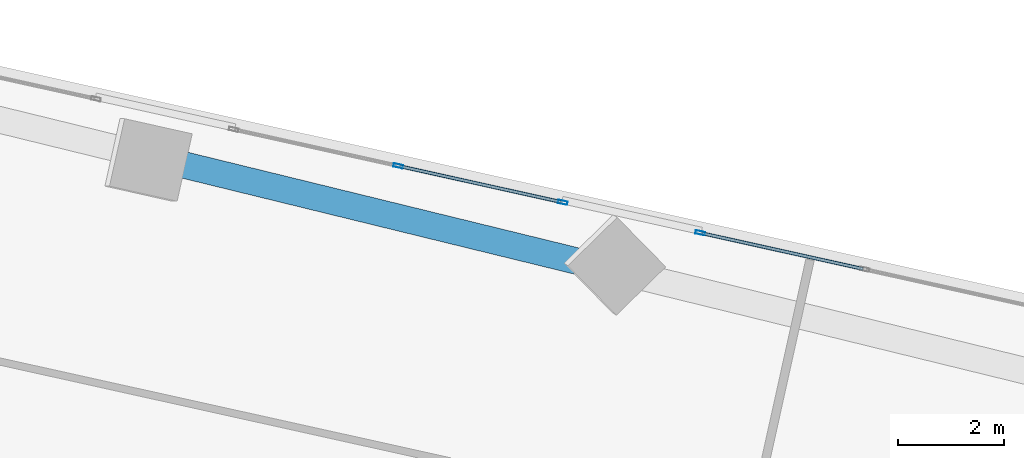
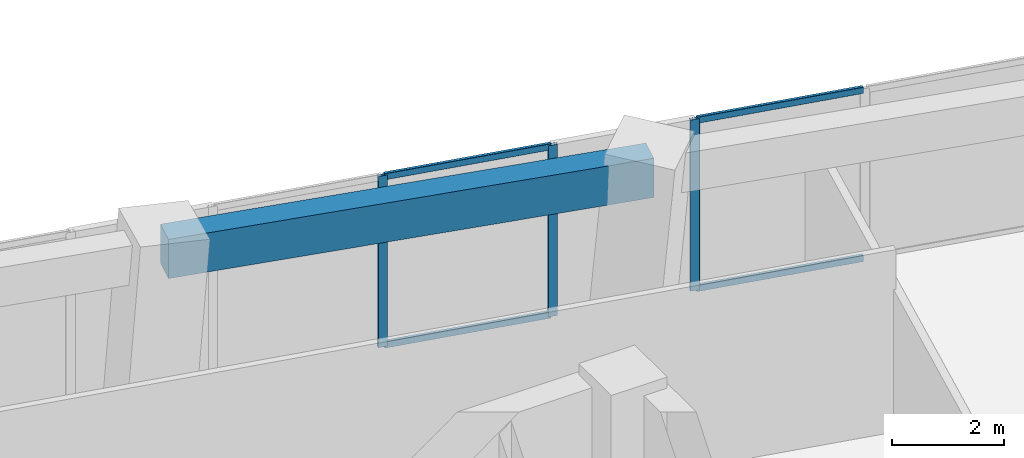
# One storey, part 17 of 25: 7 members, 1 beam, 2 elements without a shape of their own.
"""IFC4 building model written with IfcOpenShell, lengths in metres."""

import ifcopenshell
import ifcopenshell.guid

model = None  # the IFC model being written
_history = None  # IfcOwnerHistory: only IFC2X3 demands one
_inside = {}  # id of a spatial element -> (the spatial element, [elements in it])
_under = {}  # id of a project, library or spatial element -> (it, [spatial elements below it])
_declared = {}  # id of a project -> (the project, [libraries it declares])
_typed = {}  # id of a type object -> (the type object, [elements of that type])
_made_of = {}  # id of a material, layer set ... -> (it, [elements and type objects made of it])


def new_model(schema):
    """Start an empty IFC model of exactly this schema.

    Asked for "IFC4X3", IfcOpenShell would pick the latest addendum, in which some entities
    have other attributes; the version numbers below select the first issue.
    IFC2X3 requires an IfcOwnerHistory on every rooted entity: one is made here for all.
    """
    global model, _history
    if schema == "IFC4X3":
        model = ifcopenshell.file(schema_version=(4, 3, 0, 0))
    else:
        model = ifcopenshell.file(schema=schema)
    _inside.clear()
    _under.clear()
    _declared.clear()
    _typed.clear()
    _made_of.clear()
    _history = None
    if model.schema == "IFC2X3":
        org = make("IfcOrganization", Name="unknown")
        user = make(
            "IfcPersonAndOrganization",
            ThePerson=make("IfcPerson", FamilyName="unknown"),
            TheOrganization=org,
        )
        app = make(
            "IfcApplication",
            ApplicationDeveloper=org,
            Version="unknown",
            ApplicationFullName="unknown",
            ApplicationIdentifier="unknown",
        )
        _history = make(
            "IfcOwnerHistory",
            OwningUser=user,
            OwningApplication=app,
            ChangeAction="ADDED",
            CreationDate=0,
        )
    return model


def make(cls, **values):
    """One entity of the class cls with the attributes given. An attribute that is None is left unset."""
    return model.create_entity(
        cls, **{name: value for name, value in values.items() if value is not None}
    )


def rooted(cls, **values):
    """An entity with a GlobalId (a new one), such as an element, a storey or a relation."""
    return make(cls, GlobalId=ifcopenshell.guid.new(), OwnerHistory=_history, **values)


def si_unit(unit_type, name, prefix=None):
    """IfcSIUnit, for example si_unit("LENGTHUNIT", "METRE", prefix="MILLI")."""
    return make("IfcSIUnit", UnitType=unit_type, Prefix=prefix, Name=name)


def assignment(units):
    """IfcUnitAssignment: the units of a project."""
    return None if units is None else make("IfcUnitAssignment", Units=units)


def point(xyz):
    """IfcCartesianPoint."""
    return None if xyz is None else make("IfcCartesianPoint", Coordinates=xyz)


def direction(xyz):
    """IfcDirection."""
    return None if xyz is None else make("IfcDirection", DirectionRatios=xyz)


def frame(location, z_axis=None, x_axis=None):
    """IfcAxis2Placement3D, a coordinate frame: its origin and axes. An axis left out is left unset."""
    return make(
        "IfcAxis2Placement3D",
        Location=point(location),
        Axis=direction(z_axis),
        RefDirection=direction(x_axis),
    )


def frame_2d(location, x_axis=None):
    """IfcAxis2Placement2D, a coordinate frame in the plane: its origin and x axis."""
    return make(
        "IfcAxis2Placement2D", Location=point(location), RefDirection=direction(x_axis)
    )


def origin():
    """The frame at (0, 0, 0) with its axes left unset."""
    return frame((0.0, 0.0, 0.0))


def origin_2d():
    """The frame at (0, 0) in the plane with its x axis left unset."""
    return frame_2d((0.0, 0.0))


def place(relative_to, where):
    """IfcLocalPlacement: puts the frame where relative to a parent placement (None: the world)."""
    return make(
        "IfcLocalPlacement", PlacementRelTo=relative_to, RelativePlacement=where
    )


def context(
    kind, dimensions, precision=None, world=None, true_north=None, identifier=None
):
    """IfcGeometricRepresentationContext, for example the 3D "Model" context."""
    return make(
        "IfcGeometricRepresentationContext",
        ContextIdentifier=identifier,
        ContextType=kind,
        CoordinateSpaceDimension=dimensions,
        Precision=precision,
        WorldCoordinateSystem=world,
        TrueNorth=true_north,
    )


def subcontext(parent, identifier, kind, view, scale=None):
    """IfcGeometricRepresentationSubContext, for example "Body" below "Model"."""
    return make(
        "IfcGeometricRepresentationSubContext",
        ContextIdentifier=identifier,
        ContextType=kind,
        ParentContext=parent,
        TargetScale=scale,
        TargetView=view,
    )


def project(units=None, contexts=None):
    """IfcProject with its units and contexts."""
    return rooted(
        "IfcProject",
        Name="project",
        RepresentationContexts=contexts,
        UnitsInContext=assignment(units),
    )


def spatial(cls, under=None, at=None, **own):
    """A site, building, storey or space (cls), placed at a placement, below another one or the project."""
    s = rooted(cls, ObjectPlacement=at, **own)
    if under is not None:
        _under.setdefault(under.id(), (under, []))[1].append(s)
    return s


def profile(cls, at=None, kind="AREA", **sizes):
    """A parametric profile (cls). Its sizes go by their IFC names, for example OverallWidth=200.0."""
    return make(cls, ProfileType=kind, Position=at, **sizes)


def rectangle(**sizes):
    """IfcRectangleProfileDef."""
    return profile("IfcRectangleProfileDef", **sizes)


def hollow_rectangle(**sizes):
    """IfcRectangleHollowProfileDef."""
    return profile("IfcRectangleHollowProfileDef", **sizes)


def extrude(swept, where, along, depth):
    """IfcExtrudedAreaSolid: the profile swept, set in the frame where, extruded along a direction by depth."""
    return make(
        "IfcExtrudedAreaSolid",
        SweptArea=swept,
        Position=where,
        ExtrudedDirection=direction(along),
        Depth=depth,
    )


def shape(context_of_items, identifier, shape_type, items):
    """IfcShapeRepresentation: the items that make up one representation, for example the "Body"."""
    return make(
        "IfcShapeRepresentation",
        ContextOfItems=context_of_items,
        RepresentationIdentifier=identifier,
        RepresentationType=shape_type,
        Items=items,
    )


def source(mapping_origin, context_of_items, identifier, shape_type, items):
    """IfcRepresentationMap: a shape defined once, which mapped items show again and again."""
    return make(
        "IfcRepresentationMap",
        MappingOrigin=mapping_origin,
        MappedRepresentation=shape(context_of_items, identifier, shape_type, items),
    )


def transform(
    local_origin,
    x_axis=None,
    y_axis=None,
    z_axis=None,
    scale=None,
    scale2=None,
    scale3=None,
    uniform=True,
):
    """IfcCartesianTransformationOperator3D, or its non-uniform kind. x_axis, y_axis, z_axis: its Axis1, 2, 3."""
    if uniform:
        return make(
            "IfcCartesianTransformationOperator3D",
            Axis1=direction(x_axis),
            Axis2=direction(y_axis),
            LocalOrigin=point(local_origin),
            Scale=scale,
            Axis3=direction(z_axis),
        )
    return make(
        "IfcCartesianTransformationOperator3DnonUniform",
        Axis1=direction(x_axis),
        Axis2=direction(y_axis),
        LocalOrigin=point(local_origin),
        Scale=scale,
        Axis3=direction(z_axis),
        Scale2=scale2,
        Scale3=scale3,
    )


def mapped(mapping_source, mapping_target):
    """IfcMappedItem: shows the shape of a source again, moved by a transform."""
    return make(
        "IfcMappedItem", MappingSource=mapping_source, MappingTarget=mapping_target
    )


def material(Name=None, Category=None):
    """IfcMaterial."""
    return make("IfcMaterial", Name=Name, Category=Category)


def material_profile(
    of_material, cross_section, Name=None, Category=None, Priority=None
):
    """IfcMaterialProfile: a cross section and its material."""
    return make(
        "IfcMaterialProfile",
        Name=Name,
        Material=of_material,
        Profile=cross_section,
        Priority=Priority,
        Category=Category,
    )


def profile_set(profiles, Name=None, composite=None):
    """IfcMaterialProfileSet."""
    return make(
        "IfcMaterialProfileSet",
        Name=Name,
        MaterialProfiles=profiles,
        CompositeProfile=composite,
    )


def made_of(thing, what):
    """Note that an element or type object is made of a material, layer set ...; save() writes the relation."""
    if what is not None:
        _made_of.setdefault(what.id(), (what, []))[1].append(thing)
    return thing


def type_object(cls, material=None, **own):
    """A type object (cls), such as IfcWallType, which elements share."""
    return made_of(rooted(cls, **own), material)


def element(
    cls,
    number,
    at=None,
    inside=None,
    cuts=None,
    type_object=None,
    material=None,
    context=None,
    identifier="Body",
    shape_type=None,
    held_by="IfcProductDefinitionShape",
    body=None,
    shapes=None,
    **own,
):
    """One element of the class cls, such as IfcWall. Its Tag is "e" and its number.

    at: its placement. inside: the storey or other place that contains it. cuts: it is an
    opening in that element (IfcRelVoidsElement). A single representation is given by context,
    identifier, shape_type and body (its items); several are given by shapes. held_by: the class
    of the entity that holds the representations. save() writes the other relations.
    """
    e = rooted(cls, Tag="e%d" % number, ObjectPlacement=at, **own)
    if body is not None:
        shapes = [shape(context, identifier, shape_type, body)]
    if shapes is not None:
        e.Representation = make(held_by, Representations=shapes)
    if inside is not None:
        _inside.setdefault(inside.id(), (inside, []))[1].append(e)
    if cuts is not None:
        rooted(
            "IfcRelVoidsElement", RelatingBuildingElement=cuts, RelatedOpeningElement=e
        )
    if type_object is not None:
        _typed.setdefault(type_object.id(), (type_object, []))[1].append(e)
    return made_of(e, material)


def aggregate(whole, parts):
    """IfcRelAggregates: a whole, such as a stair, and the parts it consists of."""
    return rooted("IfcRelAggregates", RelatingObject=whole, RelatedObjects=parts)


def save(model, path):
    """Write the relations noted so far, then the file.

    IfcRelAggregates (storeys below a building ...), IfcRelContainedInSpatialStructure (elements
    in a storey), IfcRelDefinesByType, IfcRelAssociatesMaterial and IfcRelDeclares: one each for
    every whole, place, type object, material and project.
    """
    for whole, parts in _under.values():
        aggregate(whole, parts)
    for where, things in _inside.values():
        rooted(
            "IfcRelContainedInSpatialStructure",
            RelatedElements=things,
            RelatingStructure=where,
        )
    for kind, things in _typed.values():
        rooted("IfcRelDefinesByType", RelatedObjects=things, RelatingType=kind)
    for what, things in _made_of.values():
        rooted("IfcRelAssociatesMaterial", RelatedObjects=things, RelatingMaterial=what)
    for by, libraries in _declared.values():
        rooted("IfcRelDeclares", RelatingContext=by, RelatedDefinitions=libraries)
    model.write(path)


model = new_model("IFC4")

# Units and contexts
model_context = context("Model", 3, precision=1e-05, world=origin(), true_north=direction((0.0, 1.0)))
body_context = subcontext(model_context, "Body", "Model", "MODEL_VIEW")
ifc_project = project(units=[si_unit("LENGTHUNIT", "METRE"), si_unit("AREAUNIT", "SQUARE_METRE"), si_unit("VOLUMEUNIT", "CUBIC_METRE"), si_unit("PLANEANGLEUNIT", "RADIAN"), si_unit("MASSUNIT", "GRAM", prefix="KILO")], contexts=[model_context])

# Site, building, storey
site_placement = place(None, origin())
site = spatial("IfcSite", under=ifc_project, at=site_placement, CompositionType="ELEMENT")
building_placement = place(site_placement, origin())
building = spatial("IfcBuilding", under=site, at=building_placement, Name="Torre Montelarca", CompositionType="ELEMENT")
storey_placement = place(building_placement, frame((0.0, 0.0, 91.60009765625)))
storey = spatial("IfcBuildingStorey", under=building, at=storey_placement, Name="L20", CompositionType="ELEMENT", Elevation=91.60009765625)

# Beam
ifc_material_1 = material(Name="Concrete C55/67", Category="concrete")
ifc_material_profile_1 = material_profile(ifc_material_1, rectangle(XDim=0.5, YDim=0.85009765625, at=origin_2d()), Name="RCB500X850", Category="concrete")
ifc_profile_set_1 = profile_set([ifc_material_profile_1], Name="Concrete C55/67")
beam_type = type_object("IfcBeamType", Name="BM-SP-RC850-EXT", PredefinedType="SPANDREL", material=ifc_profile_set_1)
shared_shape_1 = source(origin(), body_context, "Body", "SweptSolid", [
    extrude(rectangle(XDim=0.5, YDim=0.85009765625, at=origin_2d()), origin(), (0.0, 0.0, 1.0), 9.0),
])
beam_placement = place(storey_placement, frame((21.701171875, 47.547607421875, 3.534912109375), z_axis=(0.971349345866, -0.237656155583, 0.0), x_axis=(0.237656155583, 0.971349345866, 0.0)))
element("IfcBeam", 1, at=beam_placement, inside=storey, type_object=beam_type, Name="L20 Grid Girder X 18.0-27.0 at Y=47.1", PredefinedType="SPANDREL", context=body_context, shape_type="MappedRepresentation", body=[
    mapped(shared_shape_1, transform((0.0, 0.0, 0.0), scale=1.0)),
])

# Curtain wall, members
ifc_material_2 = material(Name="Insulated low-E laminated glass", Category="glass")
curtain_wall_type = type_object("IfcCurtainWallType", Name="CW-SYS-Z1", PredefinedType="USERDEFINED", material=ifc_material_2)
curtain_wall_1_placement = place(storey_placement, origin())
curtain_wall_1 = element("IfcCurtainWall", 2, at=curtain_wall_1_placement, inside=storey, type_object=curtain_wall_type, Name="L20 Curtain Wall Run CW-T3-L20-E08-B2", ObjectType="UNITISED GLAZING", PredefinedType="USERDEFINED")
ifc_material_3 = material(Name="Anodised aluminium AA 6063-T6", Category="aluminium")
ifc_material_profile_2 = material_profile(ifc_material_3, hollow_rectangle(XDim=0.06494140625, YDim=0.139892578125, WallThickness=0.00390625, InnerFilletRadius=0.00390625, OuterFilletRadius=0.008056640625, at=origin_2d()), Name="ALU65X140X4", Category="aluminium")
ifc_profile_set_2 = profile_set([ifc_material_profile_2], Name="Anodised aluminium AA 6063-T6")
member_type_1 = type_object("IfcMemberType", Name="CWT-ALU140", PredefinedType="USERDEFINED", material=ifc_profile_set_2)
shared_shape_2 = source(origin(), body_context, "Body", "SweptSolid", [
    extrude(hollow_rectangle(XDim=0.06494140625, YDim=0.139892578125, WallThickness=0.00390625, InnerFilletRadius=0.00390625, OuterFilletRadius=0.008056640625, at=origin_2d()), origin(), (0.0, 0.0, 1.0), 3.10791015625),
])
member_1_placement = place(storey_placement, frame((34.8701171875, 45.49609375, 0.032470703125), z_axis=(-0.97629967995, 0.216423046207, 0.0), x_axis=(-0.216423046207, -0.97629967995, 0.0)))
member_1 = element("IfcMember", 3, at=member_1_placement, type_object=member_type_1, Name="CW transom 2.1", ObjectType="TRANSOM", PredefinedType="USERDEFINED", context=body_context, shape_type="MappedRepresentation", body=[
    mapped(shared_shape_2, transform((0.0, 0.0, 0.0), scale=1.0)),
])
member_2_placement = place(storey_placement, frame((34.8701171875, 45.49609375, 3.6875), z_axis=(-0.97629967995, 0.216423046207, 0.0), x_axis=(-0.216423046207, -0.97629967995, 0.0)))
member_2 = element("IfcMember", 4, at=member_2_placement, type_object=member_type_1, Name="CW transom 2.2", ObjectType="TRANSOM", PredefinedType="USERDEFINED", context=body_context, shape_type="MappedRepresentation", body=[
    mapped(shared_shape_2, transform((0.0, 0.0, 0.0), scale=1.0)),
])

curtain_wall_2_placement = place(storey_placement, origin())
curtain_wall_2 = element("IfcCurtainWall", 5, at=curtain_wall_2_placement, inside=storey, type_object=curtain_wall_type, Name="L20 Curtain Wall Run CW-T3-L20-E08-B3", ObjectType="UNITISED GLAZING", PredefinedType="USERDEFINED")
shared_shape_3 = source(origin(), body_context, "Body", "SweptSolid", [
    extrude(hollow_rectangle(XDim=0.06494140625, YDim=0.139892578125, WallThickness=0.00390625, InnerFilletRadius=0.00390625, OuterFilletRadius=0.008056640625, at=origin_2d()), origin(), (0.0, 0.0, 1.0), 3.10693359375),
])
member_3_placement = place(storey_placement, frame((29.18115234375, 46.75732421875, 0.032470703125), z_axis=(-0.976301561008, 0.216414560449, 0.0), x_axis=(-0.216414560449, -0.976301561008, 0.0)))
member_3 = element("IfcMember", 6, at=member_3_placement, type_object=member_type_1, Name="CW transom 1.1", ObjectType="TRANSOM", PredefinedType="USERDEFINED", context=body_context, shape_type="MappedRepresentation", body=[
    mapped(shared_shape_3, transform((0.0, 0.0, 0.0), scale=1.0)),
])
member_4_placement = place(storey_placement, frame((29.18115234375, 46.75732421875, 3.6875), z_axis=(-0.976301561008, 0.216414560449, 0.0), x_axis=(-0.216414560449, -0.976301561008, 0.0)))
member_4 = element("IfcMember", 7, at=member_4_placement, type_object=member_type_1, Name="CW transom 1.2", ObjectType="TRANSOM", PredefinedType="USERDEFINED", context=body_context, shape_type="MappedRepresentation", body=[
    mapped(shared_shape_3, transform((0.0, 0.0, 0.0), scale=1.0)),
])

# Member
ifc_material_profile_3 = material_profile(ifc_material_3, hollow_rectangle(XDim=0.06494140625, YDim=0.179931640625, WallThickness=0.00390625, InnerFilletRadius=0.00390625, OuterFilletRadius=0.008056640625, at=origin_2d()), Name="ALU65X180X4", Category="aluminium")
ifc_profile_set_3 = profile_set([ifc_material_profile_3], Name="Anodised aluminium AA 6063-T6")
member_type_2 = type_object("IfcMemberType", Name="CWM-ALU180", PredefinedType="MULLION", material=ifc_profile_set_3)
shared_shape_4 = source(origin(), body_context, "Body", "SweptSolid", [
    extrude(hollow_rectangle(XDim=0.06494140625, YDim=0.179931640625, WallThickness=0.00390625, InnerFilletRadius=0.00390625, OuterFilletRadius=0.008056640625, at=origin_2d()), origin(), (0.0, 0.0, 1.0), 3.719970703125),
])
member_5_placement = place(storey_placement, frame((31.80419921875, 46.17578125, 0.0), z_axis=(0.0, 0.0, 1.0), x_axis=(-0.216444858684, -0.976294844373, 0.0)))
member_5 = element("IfcMember", 8, at=member_5_placement, type_object=member_type_2, Name="CW mullion 3", PredefinedType="MULLION", context=body_context, shape_type="MappedRepresentation", body=[
    mapped(shared_shape_4, transform((0.0, 0.0, 0.0), scale=1.0)),
])

aggregate(curtain_wall_1, [member_5, member_1, member_2])

member_6_placement = place(storey_placement, frame((29.212890625, 46.750244140625, 0.0), z_axis=(0.0, 0.0, 1.0), x_axis=(-0.216439738088, -0.976295979596, 0.0)))
member_6 = element("IfcMember", 9, at=member_6_placement, type_object=member_type_2, Name="CW mullion 1", PredefinedType="MULLION", context=body_context, shape_type="MappedRepresentation", body=[
    mapped(shared_shape_4, transform((0.0, 0.0, 0.0), scale=1.0)),
])

member_7_placement = place(storey_placement, frame((26.1162109375, 47.436767578125, 0.0), z_axis=(0.0, 0.0, 1.0), x_axis=(-0.216439738088, -0.976295979596, 0.0)))
member_7 = element("IfcMember", 10, at=member_7_placement, type_object=member_type_2, Name="CW mullion 2", PredefinedType="MULLION", context=body_context, shape_type="MappedRepresentation", body=[
    mapped(shared_shape_4, transform((0.0, 0.0, 0.0), scale=1.0)),
])

aggregate(curtain_wall_2, [member_6, member_7, member_3, member_4])

save(model, "model.ifc")
